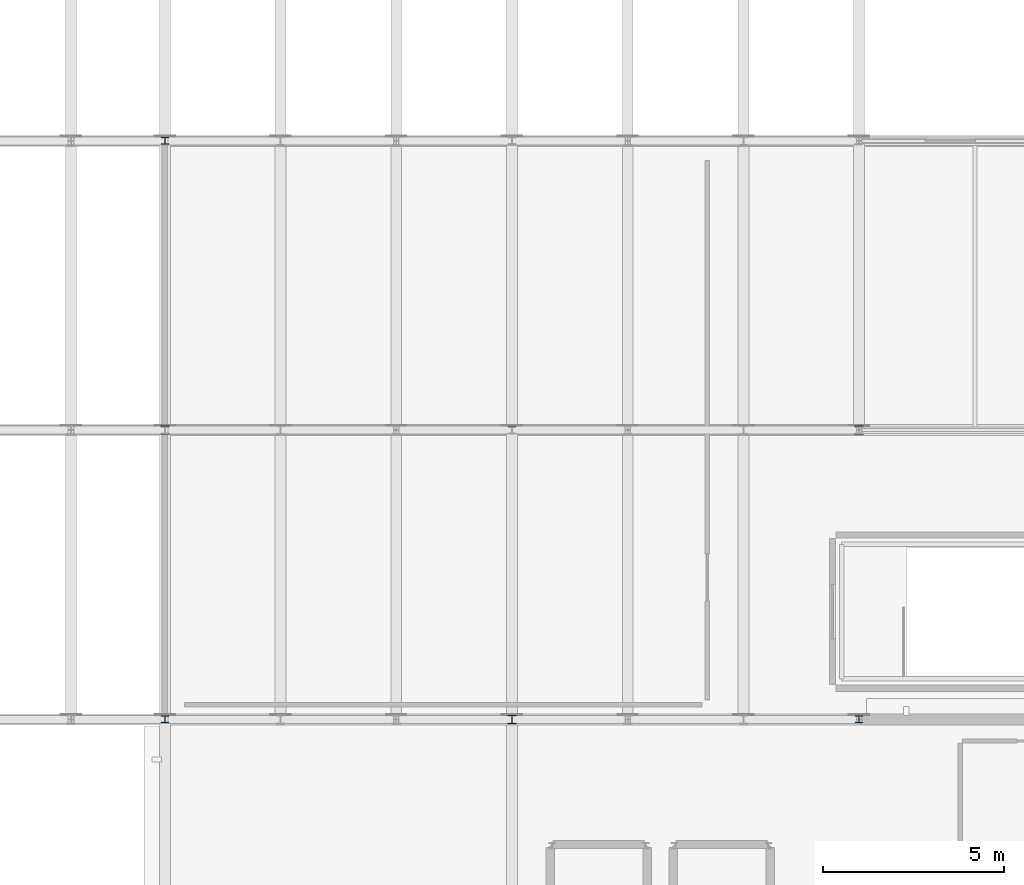
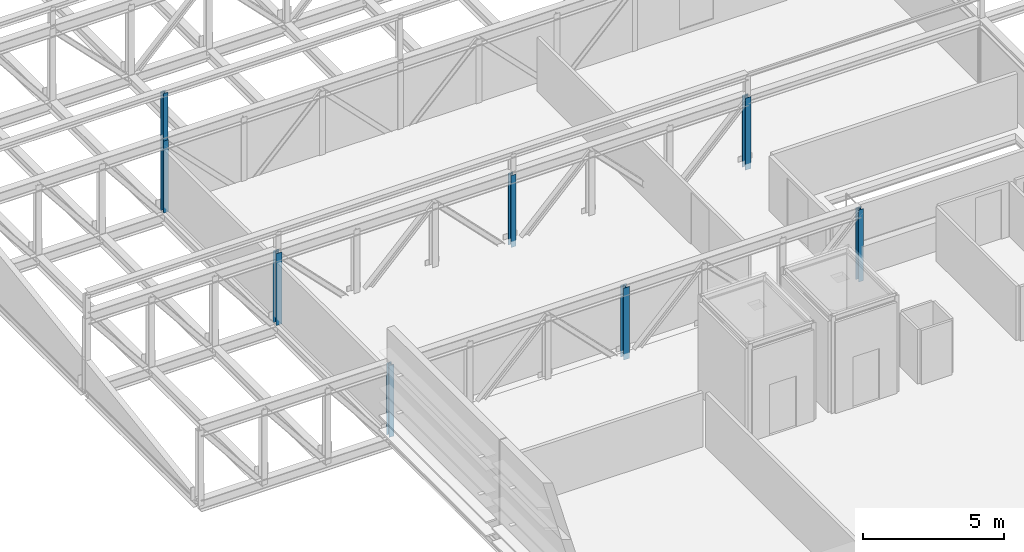
# One storey, part 4 of 34: 8 columns.
"""IFC4 building model written with IfcOpenShell, lengths in metres."""

from ifc_helpers import new_model, si_unit, direction, frame, origin, origin_2d, place, context, subcontext, project, spatial, i_section, extrude, material, material_profile, profile_set, type_object, element, save


model = new_model("IFC4")

# Units and contexts
model_context = context("Model", 3, precision=1e-05, world=origin(), true_north=direction((0.0, 1.0)))
body_context = subcontext(model_context, "Body", "Model", "MODEL_VIEW")
ifc_project = project(units=[si_unit("LENGTHUNIT", "METRE"), si_unit("AREAUNIT", "SQUARE_METRE"), si_unit("VOLUMEUNIT", "CUBIC_METRE"), si_unit("PLANEANGLEUNIT", "RADIAN"), si_unit("MASSUNIT", "GRAM", prefix="KILO")], contexts=[model_context])

# Site, building, storey
site_placement = place(None, origin())
site = spatial("IfcSite", under=ifc_project, at=site_placement, CompositionType="ELEMENT")
building_placement = place(site_placement, origin())
building = spatial("IfcBuilding", under=site, at=building_placement, Name="Alderhovde Museum", CompositionType="ELEMENT")
storey_placement = place(building_placement, frame((0.0, 0.0, 25.800048828125)))
storey = spatial("IfcBuildingStorey", under=building, at=storey_placement, Name="L05", CompositionType="ELEMENT", Elevation=25.800048828125)

# Columns
ifc_material_1 = material(Name="Steel S355J2", Category="steel")
ifc_material_profile_1 = material_profile(ifc_material_1, i_section(OverallWidth=0.199951171875, OverallDepth=0.18994140625, WebThickness=0.006591796875, FlangeThickness=0.010009765625, FilletRadius=0.01806640625, at=origin_2d()), Name="HEA 200")
ifc_profile_set_1 = profile_set([ifc_material_profile_1], Name="Steel S355J2")
column_type_1 = type_object("IfcColumnType", Name="COL-HEA200", PredefinedType="COLUMN", material=ifc_profile_set_1)
column_placement = place(storey_placement, frame((9.60009765625, 96.0, 2.849853515625), z_axis=(0.0, 0.0, 1.0), x_axis=(1.0, 0.0, 0.0)))
element("IfcColumn", 1, at=column_placement, inside=storey, type_object=column_type_1, Name="Vol 4 Roof Post X=9.6 Y=96", PredefinedType="COLUMN", context=body_context, shape_type="SweptSolid", body=[
    extrude(i_section(OverallWidth=0.199951171875, OverallDepth=0.18994140625, WebThickness=0.006591796875, FlangeThickness=0.010009765625, FilletRadius=0.01806640625, at=origin_2d()), origin(), (0.0, 0.0, 1.0), 2.050048828125),
])
ifc_material_2 = material(Name="Steel S355J2", Category="steel")
ifc_material_profile_2 = material_profile(ifc_material_2, i_section(OverallWidth=0.239990234375, OverallDepth=0.22998046875, WebThickness=0.007568359375, FlangeThickness=0.011962890625, FilletRadius=0.02099609375, at=origin_2d()), Name="HEA 240")
ifc_profile_set_2 = profile_set([ifc_material_profile_2], Name="Steel S355J2")
column_type_2 = type_object("IfcColumnType", Name="COL-HEA240", PredefinedType="COLUMN", material=ifc_profile_set_2)
for number, where, z_axis, x_axis, name in (
    (2, (9.60009765625, 88.0, -0.260009765625), (0.0, 0.0, 1.0), (1.0, 0.0, 0.0), "L05 Column (9.6, 88.0)"),
    (3, (19.199951171875, 80.0, -0.260009765625), (0.0, 0.0, 1.0), (1.0, 0.0, 0.0), "L05 Column (19.2, 80.0)"),
    (4, (28.800048828125, 88.0, -0.260009765625), (0.0, 0.0, 1.0), (1.0, 0.0, 0.0), "L05 Column (28.8, 88.0)"),
):
    element("IfcColumn", number, at=place(storey_placement, frame(where, z_axis=z_axis, x_axis=x_axis)), inside=storey, type_object=column_type_2, Name=name, PredefinedType="COLUMN", context=body_context, shape_type="SweptSolid", body=[
        extrude(i_section(OverallWidth=0.239990234375, OverallDepth=0.22998046875, WebThickness=0.007568359375, FlangeThickness=0.011962890625, FilletRadius=0.02099609375, at=origin_2d()), origin(), (0.0, 0.0, 1.0), 3.10986328125),
    ])
ifc_material_3 = material(Name="Steel S355J2", Category="steel")
ifc_material_profile_3 = material_profile(ifc_material_3, i_section(OverallWidth=0.199951171875, OverallDepth=0.199951171875, WebThickness=0.009033203125, FlangeThickness=0.014892578125, FilletRadius=0.01806640625, at=origin_2d()), Name="HEB 200")
ifc_profile_set_3 = profile_set([ifc_material_profile_3], Name="Steel S355J2")
column_type_3 = type_object("IfcColumnType", Name="COL-HEB200", PredefinedType="COLUMN", material=ifc_profile_set_3)
for number, where, z_axis, x_axis, name in (
    (5, (9.60009765625, 80.0, -0.260009765625), (0.0, 0.0, 1.0), (1.0, 0.0, 0.0), "L05 Column (9.6, 80.0)"),
    (6, (9.60009765625, 96.0, -0.260009765625), (0.0, 0.0, 1.0), (1.0, 0.0, 0.0), "L05 Column (9.6, 96.0)"),
    (7, (19.199951171875, 88.0, -0.260009765625), (0.0, 0.0, 1.0), (1.0, 0.0, 0.0), "L05 Column (19.2, 88.0)"),
    (8, (28.800048828125, 80.0, -0.260009765625), (0.0, 0.0, 1.0), (1.0, 0.0, 0.0), "L05 Column (28.8, 80.0)"),
):
    element("IfcColumn", number, at=place(storey_placement, frame(where, z_axis=z_axis, x_axis=x_axis)), inside=storey, type_object=column_type_3, Name=name, PredefinedType="COLUMN", context=body_context, shape_type="SweptSolid", body=[
        extrude(i_section(OverallWidth=0.199951171875, OverallDepth=0.199951171875, WebThickness=0.009033203125, FlangeThickness=0.014892578125, FilletRadius=0.01806640625, at=origin_2d()), origin(), (0.0, 0.0, 1.0), 3.10986328125),
    ])

save(model, "model.ifc")
